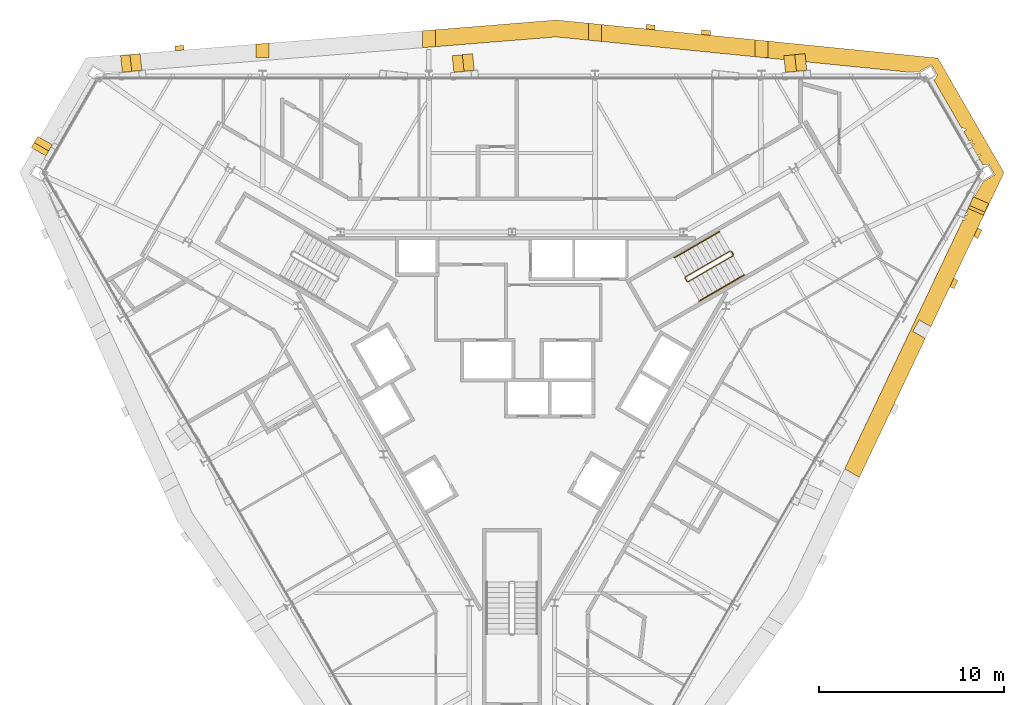
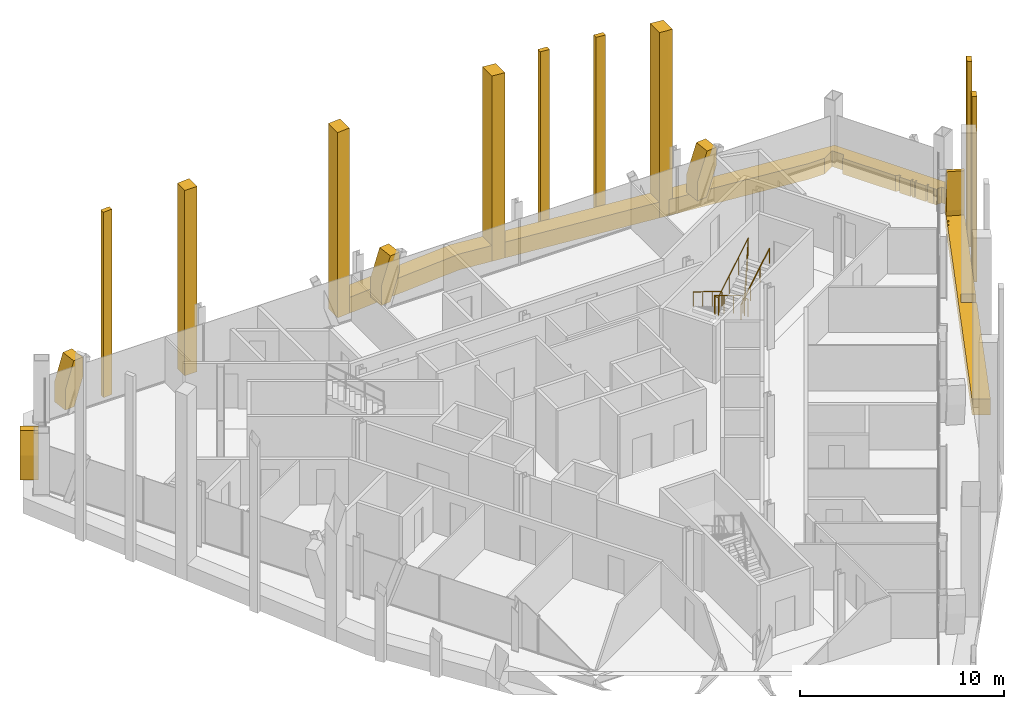
# One storey, part 16 of 16: 17 coverings, 3 railings.
"""IFC4 building model written with IfcOpenShell, lengths in metres."""

from ifc_helpers import new_model, si_unit, direction, frame, origin, origin_2d, place, context, subcontext, project, spatial, polyline, circle, outline, extrude, material, layer, layer_set, type_object, element, save


model = new_model("IFC4")

# Units and contexts
model_context = context("Model", 3, precision=1e-05, world=origin(), true_north=direction((0.0, 1.0)))
body_context = subcontext(model_context, "Body", "Model", "MODEL_VIEW")
ifc_project = project(units=[si_unit("LENGTHUNIT", "METRE"), si_unit("AREAUNIT", "SQUARE_METRE"), si_unit("VOLUMEUNIT", "CUBIC_METRE"), si_unit("PLANEANGLEUNIT", "RADIAN"), si_unit("MASSUNIT", "GRAM", prefix="KILO")], contexts=[model_context])

# Site, building, storey
site_placement = place(None, origin())
site = spatial("IfcSite", under=ifc_project, at=site_placement, CompositionType="ELEMENT")
building_placement = place(site_placement, origin())
building = spatial("IfcBuilding", under=site, at=building_placement, Name="Verrane Prism Tower", CompositionType="ELEMENT")
storey_placement = place(building_placement, frame((0.0, 0.0, 236.0)))
storey = spatial("IfcBuildingStorey", under=building, at=storey_placement, Name="L59", CompositionType="ELEMENT", Elevation=236.0)

# Railings
ifc_material_1 = material(Name="Steel A36 rail and posts, no infill", Category="steel")
railing_type_1 = type_object("IfcRailingType", Name="Stair guard 1100 steel rail and posts", PredefinedType="GUARDRAIL", material=ifc_material_1)
railing_1_placement = place(storey_placement, frame((11.78955078125, 6.97998046875, 0.168212890625)))
element("IfcRailing", 1, at=railing_1_placement, inside=storey, type_object=railing_type_1, Name="Stair 1 guard", PredefinedType="GUARDRAIL", context=body_context, shape_type="SweptSolid", body=[
    extrude(circle(Radius=0.02392578125, at=origin_2d()), frame((0.0, 0.0, 1.076171875), z_axis=(-0.742366697286, -0.42866220388, 0.514917859203), x_axis=(0.500049511043, -0.865996816683, 0.0)), (0.0, 0.0, 1.0), 3.266357421875),
    extrude(circle(Radius=0.02392578125, at=origin_2d()), frame((-2.4248046875, -1.400146484375, 2.7578125), z_axis=(-0.259601060869, -0.965715946433, 0.0), x_axis=(0.965715946433, -0.259601060869, 0.0)), (0.0, 0.0, 1.0), 0.070556640625),
    extrude(circle(Radius=0.02392578125, at=origin_2d()), frame((-2.443115234375, -1.46826171875, 2.7578125), z_axis=(0.499158860599, -0.866510491504, 0.0), x_axis=(0.866510491504, 0.499158860599, 0.0)), (0.0, 0.0, 1.0), 0.199951171875),
    extrude(circle(Radius=0.02392578125, at=origin_2d()), frame((-2.34326171875, -1.6416015625, 2.7578125), z_axis=(0.375047803403, -0.100459233054, 0.92154603122), x_axis=(0.258736085224, 0.965948051503, 0.0)), (0.0, 0.0, 1.0), 0.182373046875),
    extrude(circle(Radius=0.02392578125, at=origin_2d()), frame((-2.27490234375, -1.659912109375, 2.92578125), z_axis=(0.742366697286, 0.42866220388, 0.514917859203), x_axis=(-0.500049511043, 0.865996816683, 0.0)), (0.0, 0.0, 1.0), 3.266357421875),
    extrude(circle(Radius=0.02392578125, at=origin_2d()), frame((0.14990234375, -0.259765625, 4.60791015625), z_axis=(-0.021986835041, 0.065104730107, -0.997636182785), x_axis=(-0.947430582667, -0.3199613899, 0.0)), (0.0, 0.0, 1.0), 3.708740234375),
    extrude(circle(Radius=0.02392578125, at=origin_2d()), frame((0.068359375, -0.018310546875, 0.90771484375), z_axis=(0.499158860599, -0.866510491504, 0.0), x_axis=(0.866510491504, 0.499158860599, 0.0)), (0.0, 0.0, 1.0), 0.199951171875),
    extrude(circle(Radius=0.02099609375, at=origin_2d()), origin(), (0.0, 0.0, 1.0), 1.052001953125),
    extrude(circle(Radius=0.02099609375, at=origin_2d()), frame((-0.808349609375, -0.466796875, 0.560546875)), (0.0, 0.0, 1.0), 1.052001953125),
    extrude(circle(Radius=0.02099609375, at=origin_2d()), frame((-1.616455078125, -0.933349609375, 1.121337890625)), (0.0, 0.0, 1.0), 1.052001953125),
    extrude(circle(Radius=0.02099609375, at=origin_2d()), frame((-2.4248046875, -1.400146484375, 1.681884765625)), (0.0, 0.0, 1.0), 1.052001953125),
    extrude(circle(Radius=0.02099609375, at=origin_2d()), frame((-2.443115234375, -1.46826171875, 1.681884765625)), (0.0, 0.0, 1.0), 1.052001953125),
    extrude(circle(Radius=0.02099609375, at=origin_2d()), frame((-2.34326171875, -1.6416015625, 1.681884765625)), (0.0, 0.0, 1.0), 1.052001953125),
    extrude(circle(Radius=0.02099609375, at=origin_2d()), frame((-2.27490234375, -1.659912109375, 1.849853515625)), (0.0, 0.0, 1.0), 1.052001953125),
    extrude(circle(Radius=0.02099609375, at=origin_2d()), frame((-1.466552734375, -1.193115234375, 2.410400390625)), (0.0, 0.0, 1.0), 1.052001953125),
    extrude(circle(Radius=0.02099609375, at=origin_2d()), frame((-0.658447265625, -0.7265625, 2.97119140625)), (0.0, 0.0, 1.0), 1.052001953125),
    extrude(circle(Radius=0.02099609375, at=origin_2d()), frame((0.14990234375, -0.259765625, 3.53173828125)), (0.0, 0.0, 1.0), 1.052001953125),
    extrude(circle(Radius=0.02099609375, at=origin_2d()), frame((0.12939453125, -0.199462890625, 2.606689453125)), (0.0, 0.0, 1.0), 1.052001953125),
    extrude(circle(Radius=0.02099609375, at=origin_2d()), frame((0.109130859375, -0.13916015625, 1.681640625)), (0.0, 0.0, 1.0), 1.052001953125),
    extrude(circle(Radius=0.02099609375, at=origin_2d()), frame((0.0888671875, -0.07861328125, 0.7568359375)), (0.0, 0.0, 1.0), 1.052001953125),
    extrude(circle(Radius=0.02099609375, at=origin_2d()), frame((0.068359375, -0.018310546875, -0.168212890625)), (0.0, 0.0, 1.0), 1.052001953125),
    extrude(circle(Radius=0.02099609375, at=origin_2d()), frame((0.168212890625, -0.191650390625, -0.168212890625)), (0.0, 0.0, 1.0), 1.052001953125),
])
ifc_material_2 = material(Name="Steel A36 tube", Category="steel")
railing_type_2 = type_object("IfcRailingType", Name="Stair handrail 900 steel tube", PredefinedType="HANDRAIL", material=ifc_material_2)
railing_2_placement = place(storey_placement, frame((11.189453125, 8.01904296875, 0.168212890625)))
element("IfcRailing", 2, at=railing_2_placement, inside=storey, type_object=railing_type_2, Name="Stair 1 handrail", PredefinedType="HANDRAIL", context=body_context, shape_type="SweptSolid", body=[
    extrude(circle(Radius=0.02392578125, at=origin_2d()), frame((0.0, 0.0, 0.8759765625), z_axis=(-0.742390482028, -0.42860119049, 0.514934356695), x_axis=(0.49998411664, -0.866034573852, 0.0)), (0.0, 0.0, 1.0), 3.26611328125),
    extrude(circle(Radius=0.02099609375, at=origin_2d()), origin(), (0.0, 0.0, 1.0), 0.851806640625),
    extrude(circle(Radius=0.02099609375, at=origin_2d()), frame((-0.808349609375, -0.466552734375, 0.560546875)), (0.0, 0.0, 1.0), 0.851806640625),
    extrude(circle(Radius=0.02099609375, at=origin_2d()), frame((-1.616455078125, -0.933349609375, 1.121337890625)), (0.0, 0.0, 1.0), 0.851806640625),
    extrude(circle(Radius=0.02099609375, at=origin_2d()), frame((-2.4248046875, -1.39990234375, 1.681884765625)), (0.0, 0.0, 1.0), 0.851806640625),
])
railing_3_placement = place(storey_placement, frame((10.11474609375, 4.28076171875, 2.01806640625)))
element("IfcRailing", 3, at=railing_3_placement, inside=storey, type_object=railing_type_2, Name="Stair 1 handrail", PredefinedType="HANDRAIL", context=body_context, shape_type="SweptSolid", body=[
    extrude(circle(Radius=0.02392578125, at=origin_2d()), frame((0.0, 0.0, 0.8759765625), z_axis=(0.742366697286, 0.42866220388, 0.514917859203), x_axis=(-0.500049511043, 0.865996816683, 0.0)), (0.0, 0.0, 1.0), 3.266357421875),
    extrude(circle(Radius=0.02099609375, at=origin_2d()), origin(), (0.0, 0.0, 1.0), 0.851806640625),
    extrude(circle(Radius=0.02099609375, at=origin_2d()), frame((0.808349609375, 0.466796875, 0.560546875)), (0.0, 0.0, 1.0), 0.851806640625),
    extrude(circle(Radius=0.02099609375, at=origin_2d()), frame((1.616455078125, 0.933349609375, 1.121337890625)), (0.0, 0.0, 1.0), 0.851806640625),
    extrude(circle(Radius=0.02099609375, at=origin_2d()), frame((2.4248046875, 1.400146484375, 1.681884765625)), (0.0, 0.0, 1.0), 0.851806640625),
])

# Coverings
ifc_material_3 = material(Name="Warm limestone cladding", Category="masonry")
ifc_layer_1 = layer(ifc_material_3, 0.89990234375)
ifc_layer_set_1 = layer_set([ifc_layer_1], Name="Stone brace fin 900")
covering_type_1 = type_object("IfcCoveringType", Name="Stone brace fin 900", PredefinedType="CLADDING", material=ifc_layer_set_1)
covering_1_placement = place(storey_placement, frame((14.722900390625, 17.064453125, 0.0), z_axis=(0.0, 0.0, 1.0), x_axis=(0.994946404055, 0.100407435272, 0.0)))
element("IfcCovering", 4, at=covering_1_placement, inside=storey, type_object=covering_type_1, Name="Stone brace fin N1 L59", PredefinedType="CLADDING", context=body_context, shape_type="SweptSolid", body=[
    extrude(outline(polyline([(1.150146484375, 2.75), (0.58935546875, 2.75), (0.0, 1.1123046875), (0.0, 0.0), (0.55615234375, 0.0), (1.150146484375, 1.650390625), (1.150146484375, 2.75)])), frame((0.0, 0.449951171875, 0.0), z_axis=(0.0, -1.0, 0.0), x_axis=(1.0, 0.0, 0.0)), (0.0, 0.0, 1.0), 0.89990234375),
])
covering_2_placement = place(storey_placement, frame((-3.17919921875, 17.064208984375, 0.0), z_axis=(0.0, 0.0, 1.0), x_axis=(0.994535646188, 0.104397550077, 0.0)))
element("IfcCovering", 5, at=covering_2_placement, inside=storey, type_object=covering_type_1, Name="Stone brace fin N3 L59", PredefinedType="CLADDING", context=body_context, shape_type="SweptSolid", body=[
    extrude(outline(polyline([(1.10595703125, 2.75), (0.55029296875, 2.75), (0.0, 1.159423828125), (0.0, 0.0), (0.55126953125, 0.0), (1.10595703125, 1.603515625), (1.10595703125, 2.75)])), frame((0.0, 0.449951171875, 0.0), z_axis=(0.0, -1.0, 0.0), x_axis=(1.0, 0.0, 0.0)), (0.0, 0.0, 1.0), 0.89990234375),
])
covering_3_placement = place(storey_placement, frame((-21.074462890625, 17.06396484375, 0.0), z_axis=(0.0, 0.0, 1.0), x_axis=(0.994067799686, 0.108762170017, 0.0)))
element("IfcCovering", 6, at=covering_3_placement, inside=storey, type_object=covering_type_1, Name="Stone brace fin N5 L59", PredefinedType="CLADDING", context=body_context, shape_type="SweptSolid", body=[
    extrude(outline(polyline([(1.0595703125, 2.75), (0.50927734375, 2.75), (0.0, 1.21337890625), (0.0, 0.0), (0.5458984375, 0.0), (1.0595703125, 1.54931640625), (1.0595703125, 2.75)])), frame((0.0, 0.449951171875, 0.0), z_axis=(0.0, -1.0, 0.0), x_axis=(1.0, 0.0, 0.0)), (0.0, 0.0, 1.0), 0.89990234375),
])
covering_4_placement = place(storey_placement, frame((25.31494140625, 9.718994140625, 0.0), z_axis=(0.0, 0.0, 1.0), x_axis=(-0.401525798248, -0.915847712964, 0.0)))
element("IfcCovering", 7, at=covering_4_placement, inside=storey, type_object=covering_type_1, Name="Stone brace fin SE5 L59", PredefinedType="CLADDING", context=body_context, shape_type="SweptSolid", body=[
    extrude(outline(polyline([(0.688232421875, 2.75), (0.5087890625, 2.75), (0.0, 1.21435546875), (0.0, 0.0), (0.5458984375, 0.0), (0.688232421875, 0.4296875), (0.688232421875, 2.75)])), frame((0.0, 0.449951171875, 0.0), z_axis=(0.0, -1.0, 0.0), x_axis=(1.0, 0.0, 0.0)), (0.0, 0.0, 1.0), 0.89990234375),
])
covering_5_placement = place(storey_placement, frame((-25.548583984375, 12.33251953125, 0.0), z_axis=(0.0, 0.0, 1.0), x_axis=(0.499844169366, 0.866115353951, 0.0)))
element("IfcCovering", 8, at=covering_5_placement, inside=storey, type_object=covering_type_1, Name="Stone brace fin NW1 L59", PredefinedType="CLADDING", context=body_context, shape_type="SweptSolid", body=[
    extrude(outline(polyline([(0.694580078125, 2.75), (0.3076171875, 2.75), (0.0, 1.464599609375), (0.0, 0.0), (0.36767578125, 0.0), (0.694580078125, 1.365478515625), (0.694580078125, 2.75)])), frame((0.0, 0.449951171875, 0.0), z_axis=(0.0, -1.0, 0.0), x_axis=(1.0, 0.0, 0.0)), (0.0, 0.0, 1.0), 0.89990234375),
])
ifc_material_4 = material(Name="Warm limestone cladding", Category="masonry")
covering_type_2 = type_object("IfcCoveringType", Name="Stone mullion pier 500", PredefinedType="CLADDING", material=ifc_material_4)
covering_6_placement = place(storey_placement, frame((0.0, 0.0, -0.949951171875)))
element("IfcCovering", 9, at=covering_6_placement, inside=storey, type_object=covering_type_2, Name="Stone pier SM-N1.1 L59-L61", PredefinedType="CLADDING", context=body_context, shape_type="SweptSolid", body=[
    extrude(outline(polyline([(10.218505859375, 18.663330078125), (10.718505859375, 18.61328125), (10.718505859375, 18.864501953125), (10.218505859375, 18.91455078125), (10.218505859375, 18.663330078125)])), origin(), (0.0, 0.0, 1.0), 11.099853515625),
])
covering_7_placement = place(storey_placement, frame((0.0, 0.0, -0.949951171875)))
element("IfcCovering", 10, at=covering_7_placement, inside=storey, type_object=covering_type_2, Name="Stone pier SM-N1.2 L59-L61", PredefinedType="CLADDING", context=body_context, shape_type="SweptSolid", body=[
    extrude(outline(polyline([(7.2275390625, 18.9619140625), (7.7275390625, 18.911865234375), (7.7275390625, 19.1630859375), (7.2275390625, 19.212890625), (7.2275390625, 18.9619140625)])), origin(), (0.0, 0.0, 1.0), 11.099853515625),
])
covering_8_placement = place(storey_placement, frame((0.0, 0.0, -0.949951171875)))
element("IfcCovering", 11, at=covering_8_placement, inside=storey, type_object=covering_type_2, Name="Stone pier SM-N4.1 L59-L61", PredefinedType="CLADDING", context=body_context, shape_type="SweptSolid", body=[
    extrude(outline(polyline([(-18.1962890625, 17.7841796875), (-17.6962890625, 17.82421875), (-17.6962890625, 18.0751953125), (-18.1962890625, 18.034912109375), (-18.1962890625, 17.7841796875)])), origin(), (0.0, 0.0, 1.0), 11.099853515625),
])
covering_9_placement = place(storey_placement, frame((0.0, 0.0, -0.949951171875)))
element("IfcCovering", 12, at=covering_9_placement, inside=storey, type_object=covering_type_2, Name="Stone pier SM-SE4.1 L59-L61", PredefinedType="CLADDING", context=body_context, shape_type="SweptSolid", body=[
    extrude(outline(polyline([(23.856201171875, 5.510986328125), (23.64111328125, 5.057861328125), (23.8583984375, 4.9326171875), (24.073486328125, 5.385498046875), (23.856201171875, 5.510986328125)])), origin(), (0.0, 0.0, 1.0), 11.099853515625),
])
covering_10_placement = place(storey_placement, frame((0.0, 0.0, -0.949951171875)))
element("IfcCovering", 13, at=covering_10_placement, inside=storey, type_object=covering_type_2, Name="Stone pier SM-SE4.2 L59-L61", PredefinedType="CLADDING", context=body_context, shape_type="SweptSolid", body=[
    extrude(outline(polyline([(25.14306640625, 8.2216796875), (24.927978515625, 7.768798828125), (25.14501953125, 7.643310546875), (25.360107421875, 8.096435546875), (25.14306640625, 8.2216796875)])), origin(), (0.0, 0.0, 1.0), 11.099853515625),
])
ifc_material_5 = material(Name="Warm limestone cladding", Category="masonry")
covering_type_3 = type_object("IfcCoveringType", Name="Stone pier 700", PredefinedType="CLADDING", material=ifc_material_5)
covering_11_placement = place(storey_placement, frame((0.0, 0.0, -0.949951171875)))
element("IfcCovering", 14, at=covering_11_placement, inside=storey, type_object=covering_type_3, Name="Stone pier PC-N1 L59-L61", PredefinedType="CLADDING", context=body_context, shape_type="SweptSolid", body=[
    extrude(outline(polyline([(13.55322265625, 17.416259765625), (13.809814453125, 17.416259765625), (13.809814453125, 18.304931640625), (13.109619140625, 18.374755859375), (13.109619140625, 17.46044921875), (13.55322265625, 17.416259765625)])), origin(), (0.0, 0.0, 1.0), 11.099853515625),
])
covering_12_placement = place(storey_placement, frame((0.0, 0.0, -0.949951171875)))
element("IfcCovering", 15, at=covering_12_placement, inside=storey, type_object=covering_type_3, Name="Stone pier PC-N2 L59-L61", PredefinedType="CLADDING", context=body_context, shape_type="SweptSolid", body=[
    extrude(outline(polyline([(4.13671875, 19.270263671875), (4.13671875, 18.35595703125), (4.836669921875, 18.2861328125), (4.836669921875, 19.200439453125), (4.13671875, 19.270263671875)])), origin(), (0.0, 0.0, 1.0), 11.099853515625),
])
covering_13_placement = place(storey_placement, frame((0.0, 0.0, -0.949951171875)))
element("IfcCovering", 16, at=covering_13_placement, inside=storey, type_object=covering_type_3, Name="Stone pier PC-N3 L59-L61", PredefinedType="CLADDING", context=body_context, shape_type="SweptSolid", body=[
    extrude(outline(polyline([(-4.836669921875, 18.8603515625), (-4.836669921875, 17.947509765625), (-4.13671875, 18.00390625), (-4.13671875, 18.916748046875), (-4.836669921875, 18.8603515625)])), origin(), (0.0, 0.0, 1.0), 11.099853515625),
])
covering_14_placement = place(storey_placement, frame((0.0, 0.0, -0.949951171875)))
element("IfcCovering", 17, at=covering_14_placement, inside=storey, type_object=covering_type_3, Name="Stone pier PC-N4 L59-L61", PredefinedType="CLADDING", context=body_context, shape_type="SweptSolid", body=[
    extrude(outline(polyline([(-13.809814453125, 17.416259765625), (-13.109619140625, 17.416259765625), (-13.109619140625, 18.19384765625), (-13.809814453125, 18.137451171875), (-13.809814453125, 17.416259765625)])), origin(), (0.0, 0.0, 1.0), 11.099853515625),
])
ifc_material_6 = material(Name="Warm limestone cladding", Category="masonry")
ifc_layer_2 = layer(ifc_material_6, 0.449951171875)
ifc_layer_set_2 = layer_set([ifc_layer_2], Name="Stone spandrel band 450")
covering_type_4 = type_object("IfcCoveringType", Name="Stone spandrel band 450", PredefinedType="CLADDING", material=ifc_layer_set_2)
covering_15_placement = place(storey_placement, frame((0.0, 0.0, -0.949951171875)))
element("IfcCovering", 18, at=covering_15_placement, inside=storey, type_object=covering_type_4, Name="Stone spandrel band L59 part 2", PredefinedType="CLADDING", context=body_context, shape_type="SweptSolid", body=[
    extrude(outline(polyline([(13.809814453125, 18.304931640625), (13.809814453125, 17.416259765625), (13.62890625, 17.416259765625), (13.62841796875, 17.40869140625), (21.0966796875, 16.663330078125), (22.0009765625, 16.663330078125), (22.637451171875, 17.03076171875), (22.96728515625, 16.459228515625), (22.948486328125, 16.4482421875), (22.84033203125, 16.259033203125), (22.767578125, 16.217041015625), (24.263916015625, 13.625), (24.481201171875, 13.580322265625), (24.471923828125, 13.535888671875), (24.49658203125, 13.550048828125), (24.5224609375, 13.50537109375), (24.4580078125, 13.46826171875), (24.45751953125, 13.466064453125), (24.455078125, 13.466552734375), (24.38037109375, 13.42333984375), (24.685791015625, 12.89453125), (24.82763671875, 12.9765625), (24.86865234375, 12.905517578125), (24.726806640625, 12.823486328125), (24.797607421875, 12.700927734375), (24.939453125, 12.782958984375), (24.96533203125, 12.73828125), (24.8232421875, 12.65625), (25.12841796875, 12.127685546875), (25.2705078125, 12.20947265625), (25.3115234375, 12.138427734375), (25.16943359375, 12.056396484375), (25.3408203125, 11.760009765625), (25.366943359375, 11.7451171875), (25.358154296875, 11.729736328125), (25.427978515625, 11.608642578125), (25.49951171875, 11.64990234375), (25.718505859375, 11.64990234375), (25.7373046875, 11.660888671875), (26.0673828125, 11.089111328125), (25.431640625, 10.72216796875), (24.94580078125, 9.880859375), (24.99169921875, 9.86083984375), (24.949462890625, 9.764892578125), (24.89306640625, 9.78955078125), (24.819580078125, 9.662109375), (24.52001953125, 9.03076171875), (24.610107421875, 8.9912109375), (24.566162109375, 8.891357421875), (24.47314453125, 8.93212890625), (24.390380859375, 8.75830078125), (24.46630859375, 8.714599609375), (24.41162109375, 8.61962890625), (24.34326171875, 8.658935546875), (23.96337890625, 7.858642578125), (23.970458984375, 7.8544921875), (23.919921875, 7.766845703125), (23.880859375, 7.6845703125), (23.880859375, 7.682861328125), (23.8798828125, 7.682861328125), (17.961181640625, -4.78515625), (18.751708984375, -5.241455078125), (22.31103515625, 2.25634765625), (21.6376953125, 2.64501953125), (21.98779296875, 3.251220703125), (22.6123046875, 2.890869140625), (26.55859375, 11.20361328125), (22.9873046875, 17.388916015625), (13.809814453125, 18.304931640625)])), origin(), (0.0, 0.0, 1.0), 0.949951171875),
])
covering_16_placement = place(storey_placement, frame((0.0, 0.0, -0.949951171875)))
element("IfcCovering", 19, at=covering_16_placement, inside=storey, type_object=covering_type_4, Name="Stone spandrel band L59 part 8", PredefinedType="CLADDING", context=body_context, shape_type="SweptSolid", body=[
    extrude(outline(polyline([(4.836669921875, 18.2861328125), (13.109619140625, 17.46044921875), (13.109619140625, 18.374755859375), (4.836669921875, 19.200439453125), (4.836669921875, 18.2861328125)])), origin(), (0.0, 0.0, 1.0), 0.949951171875),
])
covering_17_placement = place(storey_placement, frame((0.0, 0.0, -0.949951171875)))
element("IfcCovering", 20, at=covering_17_placement, inside=storey, type_object=covering_type_4, Name="Stone spandrel band L59 part 9", PredefinedType="CLADDING", context=body_context, shape_type="SweptSolid", body=[
    extrude(outline(polyline([(-4.13671875, 18.916748046875), (-4.13671875, 18.00390625), (2.392822265625, 18.530029296875), (4.13671875, 18.35595703125), (4.13671875, 19.270263671875), (2.401611328125, 19.443359375), (-4.13671875, 18.916748046875)])), origin(), (0.0, 0.0, 1.0), 0.949951171875),
])

save(model, "model.ifc")
